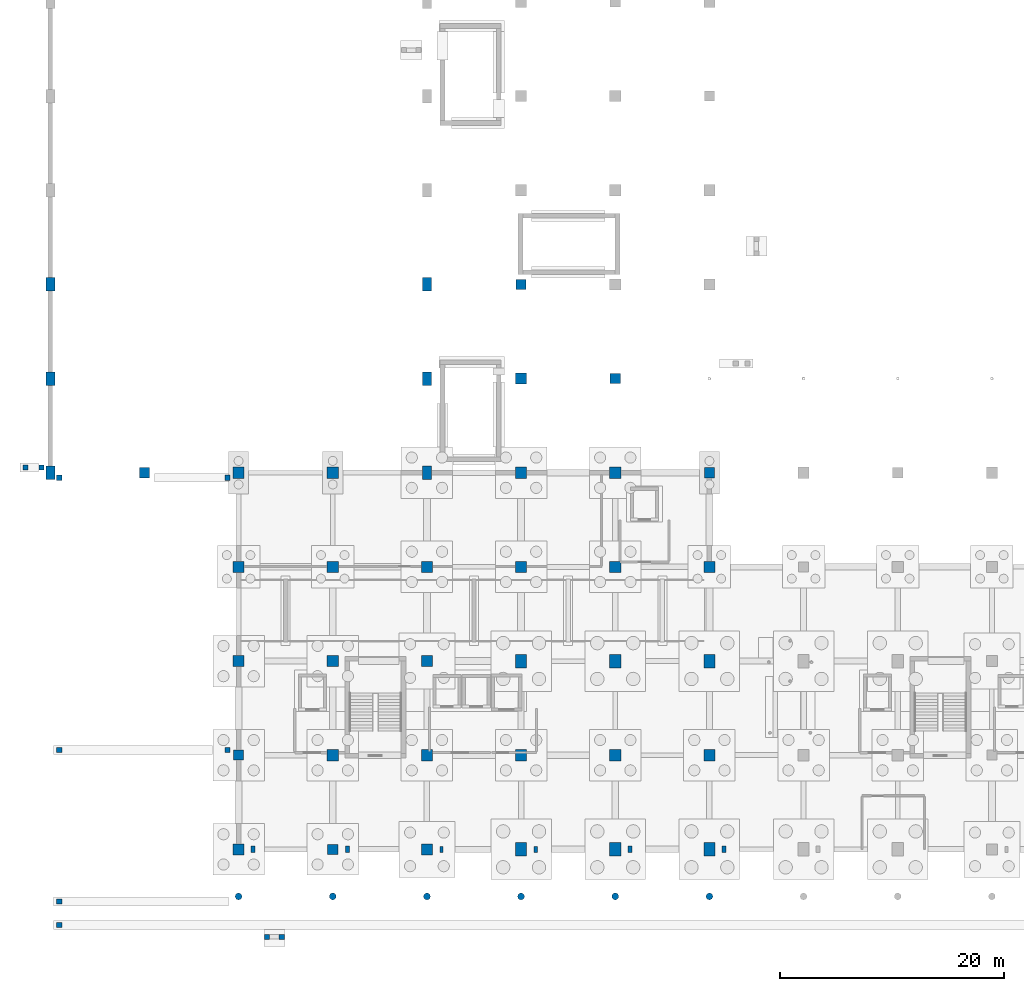
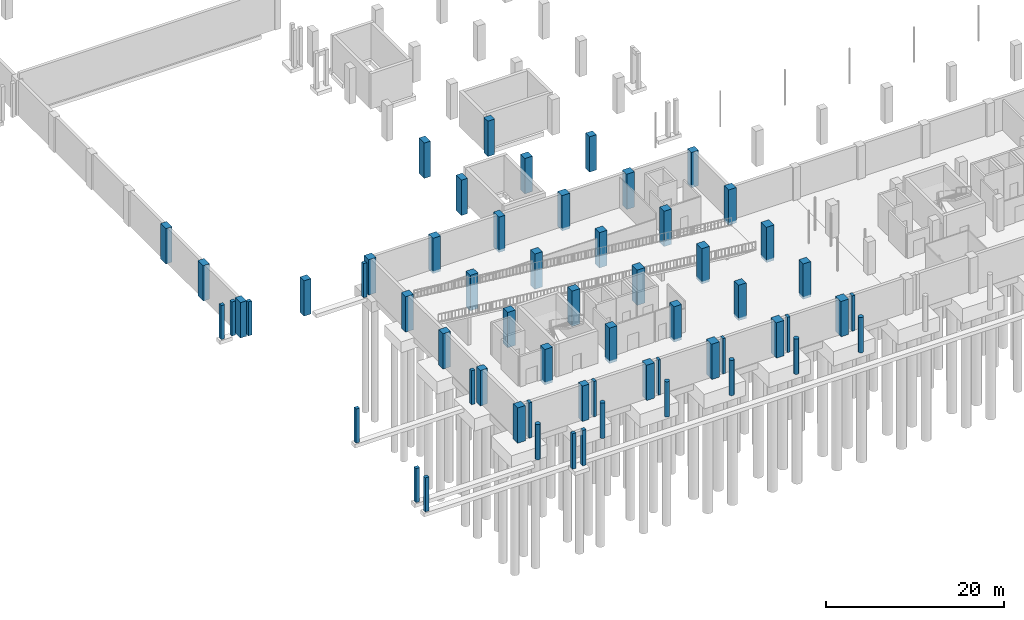
# One storey, part 10 of 39: 61 columns.
"""IFC4 building model written with IfcOpenShell, lengths in metres."""

import ifcopenshell
import ifcopenshell.guid

model = None  # the IFC model being written
_history = None  # IfcOwnerHistory: only IFC2X3 demands one
_inside = {}  # id of a spatial element -> (the spatial element, [elements in it])
_under = {}  # id of a project, library or spatial element -> (it, [spatial elements below it])
_declared = {}  # id of a project -> (the project, [libraries it declares])
_typed = {}  # id of a type object -> (the type object, [elements of that type])
_made_of = {}  # id of a material, layer set ... -> (it, [elements and type objects made of it])


def new_model(schema):
    """Start an empty IFC model of exactly this schema.

    Asked for "IFC4X3", IfcOpenShell would pick the latest addendum, in which some entities
    have other attributes; the version numbers below select the first issue.
    IFC2X3 requires an IfcOwnerHistory on every rooted entity: one is made here for all.
    """
    global model, _history
    if schema == "IFC4X3":
        model = ifcopenshell.file(schema_version=(4, 3, 0, 0))
    else:
        model = ifcopenshell.file(schema=schema)
    _inside.clear()
    _under.clear()
    _declared.clear()
    _typed.clear()
    _made_of.clear()
    _history = None
    if model.schema == "IFC2X3":
        org = make("IfcOrganization", Name="unknown")
        user = make(
            "IfcPersonAndOrganization",
            ThePerson=make("IfcPerson", FamilyName="unknown"),
            TheOrganization=org,
        )
        app = make(
            "IfcApplication",
            ApplicationDeveloper=org,
            Version="unknown",
            ApplicationFullName="unknown",
            ApplicationIdentifier="unknown",
        )
        _history = make(
            "IfcOwnerHistory",
            OwningUser=user,
            OwningApplication=app,
            ChangeAction="ADDED",
            CreationDate=0,
        )
    return model


def make(cls, **values):
    """One entity of the class cls with the attributes given. An attribute that is None is left unset."""
    return model.create_entity(
        cls, **{name: value for name, value in values.items() if value is not None}
    )


def rooted(cls, **values):
    """An entity with a GlobalId (a new one), such as an element, a storey or a relation."""
    return make(cls, GlobalId=ifcopenshell.guid.new(), OwnerHistory=_history, **values)


def si_unit(unit_type, name, prefix=None):
    """IfcSIUnit, for example si_unit("LENGTHUNIT", "METRE", prefix="MILLI")."""
    return make("IfcSIUnit", UnitType=unit_type, Prefix=prefix, Name=name)


def derived_unit(unit_type, elements):
    """IfcDerivedUnit: a product of units, each with its exponent."""
    return make(
        "IfcDerivedUnit",
        Elements=[
            make("IfcDerivedUnitElement", Unit=unit, Exponent=power)
            for unit, power in elements
        ],
        UnitType=unit_type,
    )


def assignment(units):
    """IfcUnitAssignment: the units of a project."""
    return None if units is None else make("IfcUnitAssignment", Units=units)


def point(xyz):
    """IfcCartesianPoint."""
    return None if xyz is None else make("IfcCartesianPoint", Coordinates=xyz)


def direction(xyz):
    """IfcDirection."""
    return None if xyz is None else make("IfcDirection", DirectionRatios=xyz)


def frame(location, z_axis=None, x_axis=None):
    """IfcAxis2Placement3D, a coordinate frame: its origin and axes. An axis left out is left unset."""
    return make(
        "IfcAxis2Placement3D",
        Location=point(location),
        Axis=direction(z_axis),
        RefDirection=direction(x_axis),
    )


def frame_2d(location, x_axis=None):
    """IfcAxis2Placement2D, a coordinate frame in the plane: its origin and x axis."""
    return make(
        "IfcAxis2Placement2D", Location=point(location), RefDirection=direction(x_axis)
    )


def origin():
    """The frame at (0, 0, 0) with its axes left unset."""
    return frame((0.0, 0.0, 0.0))


def origin_2d():
    """The frame at (0, 0) in the plane with its x axis left unset."""
    return frame_2d((0.0, 0.0))


def place(relative_to, where):
    """IfcLocalPlacement: puts the frame where relative to a parent placement (None: the world)."""
    return make(
        "IfcLocalPlacement", PlacementRelTo=relative_to, RelativePlacement=where
    )


def context(
    kind, dimensions, precision=None, world=None, true_north=None, identifier=None
):
    """IfcGeometricRepresentationContext, for example the 3D "Model" context."""
    return make(
        "IfcGeometricRepresentationContext",
        ContextIdentifier=identifier,
        ContextType=kind,
        CoordinateSpaceDimension=dimensions,
        Precision=precision,
        WorldCoordinateSystem=world,
        TrueNorth=true_north,
    )


def subcontext(parent, identifier, kind, view, scale=None):
    """IfcGeometricRepresentationSubContext, for example "Body" below "Model"."""
    return make(
        "IfcGeometricRepresentationSubContext",
        ContextIdentifier=identifier,
        ContextType=kind,
        ParentContext=parent,
        TargetScale=scale,
        TargetView=view,
    )


def project(units=None, contexts=None):
    """IfcProject with its units and contexts."""
    return rooted(
        "IfcProject",
        Name="project",
        RepresentationContexts=contexts,
        UnitsInContext=assignment(units),
    )


def spatial(cls, under=None, at=None, **own):
    """A site, building, storey or space (cls), placed at a placement, below another one or the project."""
    s = rooted(cls, ObjectPlacement=at, **own)
    if under is not None:
        _under.setdefault(under.id(), (under, []))[1].append(s)
    return s


def profile(cls, at=None, kind="AREA", **sizes):
    """A parametric profile (cls). Its sizes go by their IFC names, for example OverallWidth=200.0."""
    return make(cls, ProfileType=kind, Position=at, **sizes)


def rectangle(**sizes):
    """IfcRectangleProfileDef."""
    return profile("IfcRectangleProfileDef", **sizes)


def circle(**sizes):
    """IfcCircleProfileDef."""
    return profile("IfcCircleProfileDef", **sizes)


def extrude(swept, where, along, depth):
    """IfcExtrudedAreaSolid: the profile swept, set in the frame where, extruded along a direction by depth."""
    return make(
        "IfcExtrudedAreaSolid",
        SweptArea=swept,
        Position=where,
        ExtrudedDirection=direction(along),
        Depth=depth,
    )


def shape(context_of_items, identifier, shape_type, items):
    """IfcShapeRepresentation: the items that make up one representation, for example the "Body"."""
    return make(
        "IfcShapeRepresentation",
        ContextOfItems=context_of_items,
        RepresentationIdentifier=identifier,
        RepresentationType=shape_type,
        Items=items,
    )


def material(Name=None, Category=None):
    """IfcMaterial."""
    return make("IfcMaterial", Name=Name, Category=Category)


def material_profile(
    of_material, cross_section, Name=None, Category=None, Priority=None
):
    """IfcMaterialProfile: a cross section and its material."""
    return make(
        "IfcMaterialProfile",
        Name=Name,
        Material=of_material,
        Profile=cross_section,
        Priority=Priority,
        Category=Category,
    )


def profile_set(profiles, Name=None, composite=None):
    """IfcMaterialProfileSet."""
    return make(
        "IfcMaterialProfileSet",
        Name=Name,
        MaterialProfiles=profiles,
        CompositeProfile=composite,
    )


def made_of(thing, what):
    """Note that an element or type object is made of a material, layer set ...; save() writes the relation."""
    if what is not None:
        _made_of.setdefault(what.id(), (what, []))[1].append(thing)
    return thing


def type_object(cls, material=None, **own):
    """A type object (cls), such as IfcWallType, which elements share."""
    return made_of(rooted(cls, **own), material)


def element(
    cls,
    number,
    at=None,
    inside=None,
    cuts=None,
    type_object=None,
    material=None,
    context=None,
    identifier="Body",
    shape_type=None,
    held_by="IfcProductDefinitionShape",
    body=None,
    shapes=None,
    **own,
):
    """One element of the class cls, such as IfcWall. Its Tag is "e" and its number.

    at: its placement. inside: the storey or other place that contains it. cuts: it is an
    opening in that element (IfcRelVoidsElement). A single representation is given by context,
    identifier, shape_type and body (its items); several are given by shapes. held_by: the class
    of the entity that holds the representations. save() writes the other relations.
    """
    e = rooted(cls, Tag="e%d" % number, ObjectPlacement=at, **own)
    if body is not None:
        shapes = [shape(context, identifier, shape_type, body)]
    if shapes is not None:
        e.Representation = make(held_by, Representations=shapes)
    if inside is not None:
        _inside.setdefault(inside.id(), (inside, []))[1].append(e)
    if cuts is not None:
        rooted(
            "IfcRelVoidsElement", RelatingBuildingElement=cuts, RelatedOpeningElement=e
        )
    if type_object is not None:
        _typed.setdefault(type_object.id(), (type_object, []))[1].append(e)
    return made_of(e, material)


def aggregate(whole, parts):
    """IfcRelAggregates: a whole, such as a stair, and the parts it consists of."""
    return rooted("IfcRelAggregates", RelatingObject=whole, RelatedObjects=parts)


def save(model, path):
    """Write the relations noted so far, then the file.

    IfcRelAggregates (storeys below a building ...), IfcRelContainedInSpatialStructure (elements
    in a storey), IfcRelDefinesByType, IfcRelAssociatesMaterial and IfcRelDeclares: one each for
    every whole, place, type object, material and project.
    """
    for whole, parts in _under.values():
        aggregate(whole, parts)
    for where, things in _inside.values():
        rooted(
            "IfcRelContainedInSpatialStructure",
            RelatedElements=things,
            RelatingStructure=where,
        )
    for kind, things in _typed.values():
        rooted("IfcRelDefinesByType", RelatedObjects=things, RelatingType=kind)
    for what, things in _made_of.values():
        rooted("IfcRelAssociatesMaterial", RelatedObjects=things, RelatingMaterial=what)
    for by, libraries in _declared.values():
        rooted("IfcRelDeclares", RelatingContext=by, RelatedDefinitions=libraries)
    model.write(path)


model = new_model("IFC4")

# Units and contexts
model_context = context("Model", 3, precision=1e-05, world=origin(), true_north=direction((0.0, 1.0)))
body_context = subcontext(model_context, "Body", "Model", "MODEL_VIEW")
ifc_project = project(units=[si_unit("LENGTHUNIT", "METRE"), si_unit("AREAUNIT", "SQUARE_METRE"), si_unit("VOLUMEUNIT", "CUBIC_METRE"), si_unit("PLANEANGLEUNIT", "RADIAN"), si_unit("MASSUNIT", "GRAM", prefix="KILO"), derived_unit("THERMALTRANSMITTANCEUNIT", [(si_unit("POWERUNIT", "WATT"), 1), (si_unit("LENGTHUNIT", "METRE"), -2), (si_unit("THERMODYNAMICTEMPERATUREUNIT", "KELVIN"), -1)])], contexts=[model_context])

# Site, building, storey
site_placement = place(None, origin())
site = spatial("IfcSite", under=ifc_project, at=site_placement, CompositionType="ELEMENT")
building_placement = place(site_placement, origin())
building = spatial("IfcBuilding", under=site, at=building_placement, Name="Barrovel Congress Hotel", CompositionType="ELEMENT")
storey_placement = place(building_placement, frame((0.0, 0.0, -4.5)))
storey = spatial("IfcBuildingStorey", under=building, at=storey_placement, Name="B01", CompositionType="ELEMENT", Elevation=-4.5)

# Columns
ifc_material_1 = material(Name="Concrete C40", Category="concrete")
ifc_material_profile_1 = material_profile(ifc_material_1, circle(Radius=0.300048828125, at=origin_2d()), Name="RC-D600")
ifc_profile_set_1 = profile_set([ifc_material_profile_1], Name="Concrete C40")
column_type_1 = type_object("IfcColumnType", Name="COL-RC-D600", PredefinedType="COLUMN", material=ifc_profile_set_1)
for number, where, z_axis, x_axis, name in (
    (1, (16.800048828125, 0.0, -0.360107421875), (0.0, 0.0, 1.0), (1.0, 0.0, 0.0), "COL:B01:16.8:0.0"),
    (2, (25.199951171875, 0.0, -0.360107421875), (0.0, 0.0, 1.0), (1.0, 0.0, 0.0), "COL:B01:25.2:0.0"),
    (3, (33.60009765625, 0.0, -0.360107421875), (0.0, 0.0, 1.0), (1.0, 0.0, 0.0), "COL:B01:33.6:0.0"),
    (4, (42.0, 0.0, -0.360107421875), (0.0, 0.0, 1.0), (1.0, 0.0, 0.0), "COL:B01:42.0:0.0"),
    (5, (50.39990234375, 0.0, -0.360107421875), (0.0, 0.0, 1.0), (1.0, 0.0, 0.0), "COL:B01:50.4:0.0"),
    (6, (58.800048828125, 0.0, -0.360107421875), (0.0, 0.0, 1.0), (1.0, 0.0, 0.0), "COL:B01:58.8:0.0"),
):
    element("IfcColumn", number, at=place(storey_placement, frame(where, z_axis=z_axis, x_axis=x_axis)), inside=storey, type_object=column_type_1, Name=name, PredefinedType="COLUMN", context=body_context, shape_type="SweptSolid", body=[
        extrude(circle(Radius=0.300048828125, at=origin_2d()), origin(), (0.0, 0.0, 1.0), 4.860107421875),
    ])
ifc_material_2 = material(Name="Concrete C50", Category="concrete")
ifc_material_profile_2 = material_profile(ifc_material_2, rectangle(XDim=1.0, YDim=1.0, at=origin_2d()), Name="RC1000x1000")
ifc_profile_set_2 = profile_set([ifc_material_profile_2], Name="Concrete C50")
column_type_2 = type_object("IfcColumnType", Name="COL-RC1000x1000", PredefinedType="COLUMN", material=ifc_profile_set_2)
for number, where, z_axis, x_axis, name in (
    (7, (16.800048828125, 4.199951171875, -0.360107421875), (0.0, 0.0, 1.0), (1.0, 0.0, 0.0), "COL:B01:16.8:4.2"),
    (8, (16.800048828125, 21.0, -0.360107421875), (0.0, 0.0, 1.0), (1.0, 0.0, 0.0), "COL:B01:16.8:21.0"),
    (9, (16.800048828125, 29.39990234375, -0.360107421875), (0.0, 0.0, 1.0), (1.0, 0.0, 0.0), "COL:B01:16.8:29.4"),
    (10, (16.800048828125, 37.800048828125, -0.360107421875), (0.0, 0.0, 1.0), (1.0, 0.0, 0.0), "COL:B01:16.8:37.8"),
    (11, (25.199951171875, 12.60009765625, -0.360107421875), (0.0, 0.0, 1.0), (1.0, 0.0, 0.0), "COL:B01:25.2:12.6"),
    (12, (25.199951171875, 21.0, -0.360107421875), (0.0, 0.0, 1.0), (1.0, 0.0, 0.0), "COL:B01:25.2:21.0"),
    (13, (25.199951171875, 29.39990234375, -0.360107421875), (0.0, 0.0, 1.0), (1.0, 0.0, 0.0), "COL:B01:25.2:29.4"),
    (14, (25.199951171875, 37.800048828125, -0.360107421875), (0.0, 0.0, 1.0), (1.0, 0.0, 0.0), "COL:B01:25.2:37.8"),
    (15, (33.60009765625, 4.199951171875, -0.360107421875), (0.0, 0.0, 1.0), (1.0, 0.0, 0.0), "COL:B01:33.6:4.2"),
    (16, (33.60009765625, 12.60009765625, -0.360107421875), (0.0, 0.0, 1.0), (1.0, 0.0, 0.0), "COL:B01:33.6:12.6"),
    (17, (33.60009765625, 21.0, -0.360107421875), (0.0, 0.0, 1.0), (1.0, 0.0, 0.0), "COL:B01:33.6:21.0"),
    (18, (33.60009765625, 29.39990234375, -0.360107421875), (0.0, 0.0, 1.0), (1.0, 0.0, 0.0), "COL:B01:33.6:29.4"),
    (19, (42.0, 12.60009765625, -0.360107421875), (0.0, 0.0, 1.0), (1.0, 0.0, 0.0), "COL:B01:42.0:12.6"),
    (20, (42.0, 29.39990234375, -0.360107421875), (0.0, 0.0, 1.0), (1.0, 0.0, 0.0), "COL:B01:42.0:29.4"),
    (21, (42.0, 37.800048828125, -0.360107421875), (0.0, 0.0, 1.0), (1.0, 0.0, 0.0), "COL:B01:42.0:37.8"),
    (22, (42.0, 46.199951171875, -0.360107421875), (0.0, 0.0, 1.0), (1.0, 0.0, 0.0), "COL:B01:42.0:46.2"),
    (23, (50.39990234375, 12.60009765625, -0.360107421875), (0.0, 0.0, 1.0), (1.0, 0.0, 0.0), "COL:B01:50.4:12.6"),
    (24, (50.39990234375, 29.39990234375, -0.360107421875), (0.0, 0.0, 1.0), (1.0, 0.0, 0.0), "COL:B01:50.4:29.4"),
    (25, (50.39990234375, 37.800048828125, -0.360107421875), (0.0, 0.0, 1.0), (1.0, 0.0, 0.0), "COL:B01:50.4:37.8"),
    (26, (58.800048828125, 12.60009765625, -0.360107421875), (0.0, 0.0, 1.0), (1.0, 0.0, 0.0), "COL:B01:58.8:12.6"),
    (27, (58.800048828125, 29.39990234375, -0.360107421875), (0.0, 0.0, 1.0), (1.0, 0.0, 0.0), "COL:B01:58.8:29.4"),
):
    element("IfcColumn", number, at=place(storey_placement, frame(where, z_axis=z_axis, x_axis=x_axis)), inside=storey, type_object=column_type_2, Name=name, PredefinedType="COLUMN", context=body_context, shape_type="SweptSolid", body=[
        extrude(rectangle(XDim=1.0, YDim=1.0, at=origin_2d()), origin(), (0.0, 0.0, 1.0), 4.860107421875),
    ])
ifc_material_profile_3 = material_profile(ifc_material_2, rectangle(XDim=1.0, YDim=1.199951171875, at=origin_2d()), Name="RC1000x1200")
ifc_profile_set_3 = profile_set([ifc_material_profile_3], Name="Concrete C50")
column_type_3 = type_object("IfcColumnType", Name="COL-RC1000x1200", PredefinedType="COLUMN", material=ifc_profile_set_3)
for number, where, z_axis, x_axis, name in (
    (28, (42.0, 4.199951171875, -0.360107421875), (0.0, 0.0, 1.0), (1.0, 0.0, 0.0), "COL:B01:42.0:4.2"),
    (29, (42.0, 21.0, -0.360107421875), (0.0, 0.0, 1.0), (1.0, 0.0, 0.0), "COL:B01:42.0:21.0"),
    (30, (50.39990234375, 4.199951171875, -0.360107421875), (0.0, 0.0, 1.0), (1.0, 0.0, 0.0), "COL:B01:50.4:4.2"),
    (31, (50.39990234375, 21.0, -0.360107421875), (0.0, 0.0, 1.0), (1.0, 0.0, 0.0), "COL:B01:50.4:21.0"),
    (32, (58.800048828125, 4.199951171875, -0.360107421875), (0.0, 0.0, 1.0), (1.0, 0.0, 0.0), "COL:B01:58.8:4.2"),
    (33, (58.800048828125, 21.0, -0.360107421875), (0.0, 0.0, 1.0), (1.0, 0.0, 0.0), "COL:B01:58.8:21.0"),
):
    element("IfcColumn", number, at=place(storey_placement, frame(where, z_axis=z_axis, x_axis=x_axis)), inside=storey, type_object=column_type_3, Name=name, PredefinedType="COLUMN", context=body_context, shape_type="SweptSolid", body=[
        extrude(rectangle(XDim=1.0, YDim=1.199951171875, at=origin_2d()), origin(), (0.0, 0.0, 1.0), 4.860107421875),
    ])
ifc_material_profile_4 = material_profile(ifc_material_1, rectangle(XDim=0.449951171875, YDim=0.449951171875, at=origin_2d()), Name="RC450x450")
ifc_profile_set_4 = profile_set([ifc_material_profile_4], Name="Concrete C40")
column_type_4 = type_object("IfcColumnType", Name="COL-RC450x450", PredefinedType="COLUMN", material=ifc_profile_set_4)
for number, where, z_axis, x_axis, name in (
    (34, (0.800048828125, -2.550048828125, -0.360107421875), (0.0, 0.0, 1.0), (1.0, 0.0, 0.0), "COL:PAV-SOUTH-W:1"),
    (35, (0.800048828125, -0.449951171875, -0.360107421875), (0.0, 0.0, 1.0), (1.0, 0.0, 0.0), "COL:PAV-SOUTH-W:4"),
    (36, (0.800048828125, 13.050048828125, -0.360107421875), (0.0, 0.0, 1.0), (1.0, 0.0, 0.0), "COL:PAV-WEST-APRON:1"),
    (37, (15.800048828125, 13.050048828125, -0.360107421875), (0.0, 0.0, 1.0), (1.0, 0.0, 0.0), "COL:PAV-WEST-APRON:2"),
    (38, (15.800048828125, 37.35009765625, -0.360107421875), (0.0, 0.0, 1.0), (1.0, 0.0, 0.0), "COL:PAV-WEST-APRON:3"),
    (39, (0.800048828125, 37.35009765625, -0.360107421875), (0.0, 0.0, 1.0), (1.0, 0.0, 0.0), "COL:PAV-WEST-APRON:4"),
    (40, (-2.199951171875, 38.25, -0.360107421875), (0.0, 0.0, 1.0), (1.0, 0.0, 0.0), "COL:PAV-WEST-NAVE:1"),
    (41, (-0.800048828125, 38.25, -0.360107421875), (0.0, 0.0, 1.0), (1.0, 0.0, 0.0), "COL:PAV-WEST-NAVE:2"),
):
    element("IfcColumn", number, at=place(storey_placement, frame(where, z_axis=z_axis, x_axis=x_axis)), inside=storey, type_object=column_type_4, Name=name, PredefinedType="COLUMN", context=body_context, shape_type="SweptSolid", body=[
        extrude(rectangle(XDim=0.449951171875, YDim=0.449951171875, at=origin_2d()), origin(), (0.0, 0.0, 1.0), 4.68017578125),
    ])
for number, where, z_axis, x_axis, name in (
    (42, (20.64990234375, -3.60009765625, -0.360107421875), (0.0, 0.0, 1.0), (1.0, 0.0, 0.0), "COL:RAMP:R-03:F1:1:A"),
    (43, (19.35009765625, -3.60009765625, -0.360107421875), (0.0, 0.0, 1.0), (1.0, 0.0, 0.0), "COL:RAMP:R-03:F1:1:B"),
):
    element("IfcColumn", number, at=place(storey_placement, frame(where, z_axis=z_axis, x_axis=x_axis)), inside=storey, type_object=column_type_4, Name=name, PredefinedType="COLUMN", context=body_context, shape_type="SweptSolid", body=[
        extrude(rectangle(XDim=0.449951171875, YDim=0.449951171875, at=origin_2d()), origin(), (0.0, 0.0, 1.0), 4.89013671875),
    ])
ifc_material_profile_5 = material_profile(ifc_material_1, rectangle(XDim=0.800048828125, YDim=1.199951171875, at=origin_2d()), Name="RC800x1200")
ifc_profile_set_5 = profile_set([ifc_material_profile_5], Name="Concrete C40")
column_type_5 = type_object("IfcColumnType", Name="COL-RC800x1200", PredefinedType="COLUMN", material=ifc_profile_set_5)
for number, where, z_axis, x_axis, name in (
    (44, (0.0, 37.800048828125, -0.360107421875), (0.0, 0.0, 1.0), (1.0, 0.0, 0.0), "COL:B01:0.0:37.8"),
    (45, (0.0, 46.199951171875, -0.360107421875), (0.0, 0.0, 1.0), (1.0, 0.0, 0.0), "COL:B01:0.0:46.2"),
    (46, (0.0, 54.60009765625, -0.360107421875), (0.0, 0.0, 1.0), (1.0, 0.0, 0.0), "COL:B01:0.0:54.6"),
    (47, (33.60009765625, 37.800048828125, -0.360107421875), (0.0, 0.0, 1.0), (1.0, 0.0, 0.0), "COL:B01:33.6:37.8"),
    (48, (33.60009765625, 46.199951171875, -0.360107421875), (0.0, 0.0, 1.0), (1.0, 0.0, 0.0), "COL:B01:33.6:46.2"),
    (49, (33.60009765625, 54.60009765625, -0.360107421875), (0.0, 0.0, 1.0), (1.0, 0.0, 0.0), "COL:B01:33.6:54.6"),
):
    element("IfcColumn", number, at=place(storey_placement, frame(where, z_axis=z_axis, x_axis=x_axis)), inside=storey, type_object=column_type_5, Name=name, PredefinedType="COLUMN", context=body_context, shape_type="SweptSolid", body=[
        extrude(rectangle(XDim=0.800048828125, YDim=1.199951171875, at=origin_2d()), origin(), (0.0, 0.0, 1.0), 4.860107421875),
    ])
ifc_material_profile_6 = material_profile(ifc_material_1, rectangle(XDim=0.89990234375, YDim=0.89990234375, at=origin_2d()), Name="RC900x900")
ifc_profile_set_6 = profile_set([ifc_material_profile_6], Name="Concrete C40")
column_type_6 = type_object("IfcColumnType", Name="COL-RC900x900", PredefinedType="COLUMN", material=ifc_profile_set_6)
for number, where, z_axis, x_axis, name in (
    (50, (8.39990234375, 37.800048828125, -0.360107421875), (0.0, 0.0, 1.0), (1.0, 0.0, 0.0), "COL:B01:8.4:37.8"),
    (51, (16.800048828125, 12.60009765625, -0.360107421875), (0.0, 0.0, 1.0), (1.0, 0.0, 0.0), "COL:B01:16.8:12.6"),
    (52, (25.199951171875, 4.199951171875, -0.360107421875), (0.0, 0.0, 1.0), (1.0, 0.0, 0.0), "COL:B01:25.2:4.2"),
    (53, (42.0, 54.60009765625, -0.360107421875), (0.0, 0.0, 1.0), (1.0, 0.0, 0.0), "COL:B01:42.0:54.6"),
    (54, (50.39990234375, 46.199951171875, -0.360107421875), (0.0, 0.0, 1.0), (1.0, 0.0, 0.0), "COL:B01:50.4:46.2"),
    (55, (58.800048828125, 37.800048828125, -0.360107421875), (0.0, 0.0, 1.0), (1.0, 0.0, 0.0), "COL:B01:58.8:37.8"),
):
    element("IfcColumn", number, at=place(storey_placement, frame(where, z_axis=z_axis, x_axis=x_axis)), inside=storey, type_object=column_type_6, Name=name, PredefinedType="COLUMN", context=body_context, shape_type="SweptSolid", body=[
        extrude(rectangle(XDim=0.89990234375, YDim=0.89990234375, at=origin_2d()), origin(), (0.0, 0.0, 1.0), 4.860107421875),
    ])
ifc_material_profile_7 = material_profile(ifc_material_1, rectangle(XDim=0.300048828125, YDim=0.550048828125, at=origin_2d()), Name="RC300x550")
ifc_profile_set_7 = profile_set([ifc_material_profile_7], Name="Concrete C40")
column_type_7 = type_object("IfcColumnType", Name="PIL-RC300x550", PredefinedType="PILASTER", material=ifc_profile_set_7)
for number, where, z_axis, x_axis, name in (
    (56, (34.89990234375, 4.199951171875, -0.360107421875), (0.0, 0.0, 1.0), (1.0, 0.0, 0.0), "PIL:B01:S:34.9"),
    (57, (43.300048828125, 4.199951171875, -0.360107421875), (0.0, 0.0, 1.0), (1.0, 0.0, 0.0), "PIL:B01:S:43.3"),
):
    element("IfcColumn", number, at=place(storey_placement, frame(where, z_axis=z_axis, x_axis=x_axis)), inside=storey, type_object=column_type_7, Name=name, PredefinedType="PILASTER", context=body_context, shape_type="SweptSolid", body=[
        extrude(rectangle(XDim=0.300048828125, YDim=0.550048828125, at=origin_2d()), origin(), (0.0, 0.0, 1.0), 4.860107421875),
    ])
ifc_material_profile_8 = material_profile(ifc_material_1, rectangle(XDim=0.35009765625, YDim=0.60009765625, at=origin_2d()), Name="RC350x600")
ifc_profile_set_8 = profile_set([ifc_material_profile_8], Name="Concrete C40")
column_type_8 = type_object("IfcColumnType", Name="PIL-RC350x600", PredefinedType="PILASTER", material=ifc_profile_set_8)
for number, where, z_axis, x_axis, name in (
    (58, (18.10009765625, 4.199951171875, -0.360107421875), (0.0, 0.0, 1.0), (1.0, 0.0, 0.0), "PIL:B01:S:18.1"),
    (59, (26.5, 4.199951171875, -0.360107421875), (0.0, 0.0, 1.0), (1.0, 0.0, 0.0), "PIL:B01:S:26.5"),
    (60, (51.699951171875, 4.199951171875, -0.360107421875), (0.0, 0.0, 1.0), (1.0, 0.0, 0.0), "PIL:B01:S:51.7"),
    (61, (60.10009765625, 4.199951171875, -0.360107421875), (0.0, 0.0, 1.0), (1.0, 0.0, 0.0), "PIL:B01:S:60.1"),
):
    element("IfcColumn", number, at=place(storey_placement, frame(where, z_axis=z_axis, x_axis=x_axis)), inside=storey, type_object=column_type_8, Name=name, PredefinedType="PILASTER", context=body_context, shape_type="SweptSolid", body=[
        extrude(rectangle(XDim=0.35009765625, YDim=0.60009765625, at=origin_2d()), origin(), (0.0, 0.0, 1.0), 4.860107421875),
    ])

save(model, "model.ifc")
